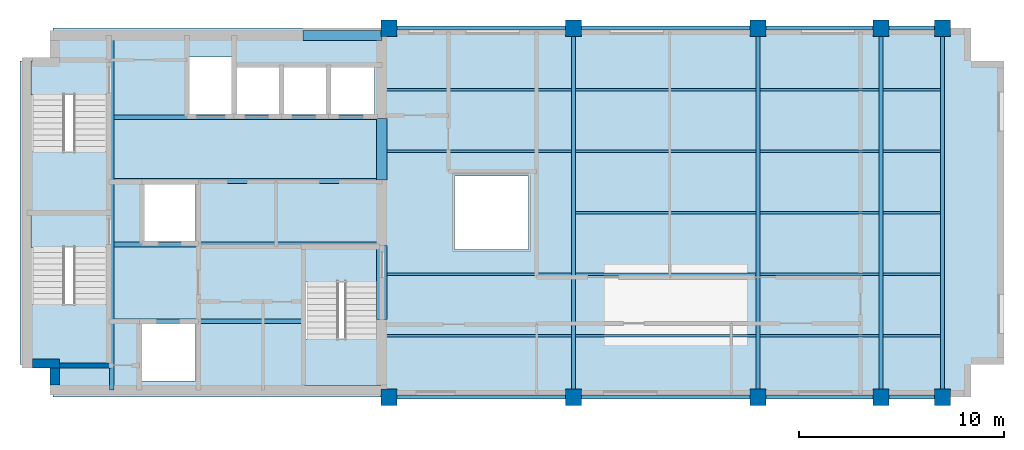
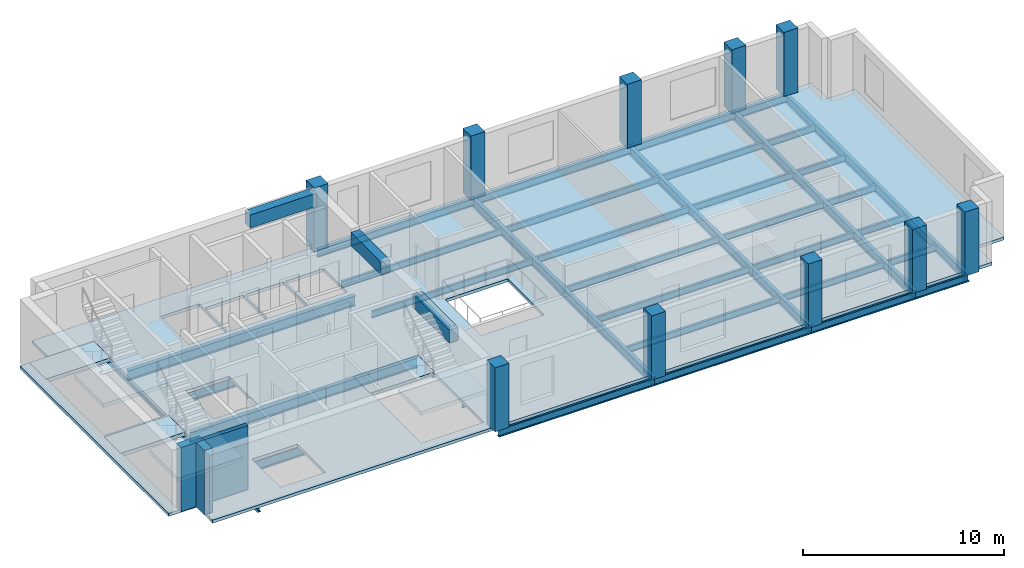
# One storey, part 1 of 5: 39 beams, 10 columns, 7 slabs, 3 walls, 3 elements without a shape of their own.
"""IFC4 building model written with IfcOpenShell, lengths in metres."""

from ifc_helpers import new_model, si_unit, direction, frame, frame_2d, origin, origin_2d, place, context, subcontext, project, spatial, polyline, rectangle, i_section, outline, extrude, material, layer, layer_set, material_profile, profile_set, type_object, element, aggregate, save


model = new_model("IFC4")

# Units and contexts
model_context = context("Model", 3, precision=1e-05, world=origin(), true_north=direction((0.0, 1.0)))
body_context = subcontext(model_context, "Body", "Model", "MODEL_VIEW")
ifc_project = project(units=[si_unit("LENGTHUNIT", "METRE"), si_unit("AREAUNIT", "SQUARE_METRE"), si_unit("VOLUMEUNIT", "CUBIC_METRE"), si_unit("PLANEANGLEUNIT", "RADIAN"), si_unit("MASSUNIT", "GRAM", prefix="KILO")], contexts=[model_context])

# Site, building, storey
site_placement = place(None, origin())
site = spatial("IfcSite", under=ifc_project, at=site_placement, CompositionType="ELEMENT")
building_placement = place(site_placement, origin())
building = spatial("IfcBuilding", under=site, at=building_placement, Name="Mawjdan Bourse Tower", CompositionType="ELEMENT")
storey_placement = place(building_placement, frame((0.0, 0.0, 262.5)))
storey = spatial("IfcBuildingStorey", under=building, at=storey_placement, Name="L64", CompositionType="ELEMENT", Elevation=262.5)

# Columns
ifc_material_1 = material(Name="Concrete C60/75", Category="concrete")
ifc_material_profile_1 = material_profile(ifc_material_1, rectangle(XDim=0.800048828125, YDim=0.800048828125, at=origin_2d()), Name="RC800X800")
ifc_profile_set_1 = profile_set([ifc_material_profile_1], Name="Concrete C60/75")
column_type = type_object("IfcColumnType", Name="COL-RC800X800", PredefinedType="COLUMN", material=ifc_profile_set_1)
for number, where, z_axis, x_axis, name in (
    (1, (24.0, 3.0, 0.0), (0.0, 0.0, 1.0), (1.0, 0.0, 0.0), "L64 Structural Column C-X240-Y30"),
    (2, (24.0, 21.0, 0.0), (0.0, 0.0, 1.0), (1.0, 0.0, 0.0), "L64 Structural Column C-X240-Y210"),
    (3, (33.0, 3.0, 0.0), (0.0, 0.0, 1.0), (1.0, 0.0, 0.0), "L64 Structural Column C-X330-Y30"),
    (4, (33.0, 21.0, 0.0), (0.0, 0.0, 1.0), (1.0, 0.0, 0.0), "L64 Structural Column C-X330-Y210"),
    (5, (42.0, 3.0, 0.0), (0.0, 0.0, 1.0), (1.0, 0.0, 0.0), "L64 Structural Column C-X420-Y30"),
    (6, (42.0, 21.0, 0.0), (0.0, 0.0, 1.0), (1.0, 0.0, 0.0), "L64 Structural Column C-X420-Y210"),
    (7, (48.0, 3.0, 0.0), (0.0, 0.0, 1.0), (1.0, 0.0, 0.0), "L64 Structural Column C-X480-Y30"),
    (8, (48.0, 21.0, 0.0), (0.0, 0.0, 1.0), (1.0, 0.0, 0.0), "L64 Structural Column C-X480-Y210"),
    (9, (51.0, 3.0, 0.0), (0.0, 0.0, 1.0), (1.0, 0.0, 0.0), "L64 Structural Column C-X510-Y30"),
    (10, (51.0, 21.0, 0.0), (0.0, 0.0, 1.0), (1.0, 0.0, 0.0), "L64 Structural Column C-X510-Y210"),
):
    element("IfcColumn", number, at=place(storey_placement, frame(where, z_axis=z_axis, x_axis=x_axis)), inside=storey, type_object=column_type, Name=name, PredefinedType="COLUMN", context=body_context, shape_type="SweptSolid", body=[
        extrude(rectangle(XDim=0.800048828125, YDim=0.800048828125, at=origin_2d()), origin(), (0.0, 0.0, 1.0), 3.89990234375),
    ])

# Beams
ifc_material_2 = material(Name="Structural Steel S355", Category="steel")
ifc_material_profile_2 = material_profile(ifc_material_2, i_section(OverallWidth=0.2119140625, OverallDepth=0.5439453125, WebThickness=0.01318359375, FlangeThickness=0.021240234375, FilletRadius=0.01708984375, at=origin_2d()), Name="W21X83")
ifc_profile_set_2 = profile_set([ifc_material_profile_2], Name="Structural Steel S355")
beam_type_1 = type_object("IfcBeamType", Name="GRD-W21X83", PredefinedType="BEAM", material=ifc_profile_set_2)
beam_1_placement = place(storey_placement, frame((10.47998046875, 3.35009765625, -0.45703125), z_axis=(0.0, 1.0, 0.0), x_axis=(-1.0, 0.0, 0.0)))
element("IfcBeam", 11, at=beam_1_placement, inside=storey, type_object=beam_type_1, Name="L64 Core Stair Trimmer Girder 001", PredefinedType="BEAM", context=body_context, shape_type="SweptSolid", body=[
    extrude(i_section(OverallWidth=0.2119140625, OverallDepth=0.5439453125, WebThickness=0.01318359375, FlangeThickness=0.021240234375, FilletRadius=0.01708984375, at=origin_2d()), origin(), (0.0, 0.0, 1.0), 17.2998046875),
])
for number, where, z_axis, x_axis, name in (
    (12, (33.0, 3.0, -0.45703125), (0.0, 1.0, 0.0), (-1.0, 0.0, 0.0), "L64 East Wing Clear-Span Girder 002"),
    (13, (42.0, 3.0, -0.45703125), (0.0, 1.0, 0.0), (-1.0, 0.0, 0.0), "L64 East Wing Clear-Span Girder 003"),
    (14, (48.0, 3.0, -0.45703125), (0.0, 1.0, 0.0), (-1.0, 0.0, 0.0), "L64 East Wing Clear-Span Girder 004"),
    (15, (51.0, 3.0, -0.45703125), (0.0, 1.0, 0.0), (-1.0, 0.0, 0.0), "L64 East Wing Clear-Span Girder 005"),
):
    element("IfcBeam", number, at=place(storey_placement, frame(where, z_axis=z_axis, x_axis=x_axis)), inside=storey, type_object=beam_type_1, Name=name, PredefinedType="BEAM", context=body_context, shape_type="SweptSolid", body=[
        extrude(i_section(OverallWidth=0.2119140625, OverallDepth=0.5439453125, WebThickness=0.01318359375, FlangeThickness=0.021240234375, FilletRadius=0.01708984375, at=origin_2d()), origin(), (0.0, 0.0, 1.0), 18.0),
    ])
ifc_material_profile_3 = material_profile(ifc_material_2, i_section(OverallWidth=0.139892578125, OverallDepth=0.404052734375, WebThickness=0.007080078125, FlangeThickness=0.01123046875, FilletRadius=0.009033203125, at=origin_2d()), Name="W16X31")
ifc_profile_set_3 = profile_set([ifc_material_profile_3], Name="Structural Steel S355")
beam_type_2 = type_object("IfcBeamType", Name="JST-W16X31", PredefinedType="JOIST", material=ifc_profile_set_3)
beam_2_placement = place(storey_placement, frame((23.64990234375, 6.0, -0.386962890625), z_axis=(1.0, 0.0, 0.0), x_axis=(0.0, 1.0, 0.0)))
element("IfcBeam", 16, at=beam_2_placement, inside=storey, type_object=beam_type_2, Name="L64 East Wing Composite Joist 014", PredefinedType="JOIST", context=body_context, shape_type="SweptSolid", body=[
    extrude(i_section(OverallWidth=0.139892578125, OverallDepth=0.404052734375, WebThickness=0.007080078125, FlangeThickness=0.01123046875, FilletRadius=0.009033203125, at=origin_2d()), origin(), (0.0, 0.0, 1.0), 9.24609375),
])
beam_3_placement = place(storey_placement, frame((33.10400390625, 6.0, -0.386962890625), z_axis=(1.0, 0.0, 0.0), x_axis=(0.0, 1.0, 0.0)))
element("IfcBeam", 17, at=beam_3_placement, inside=storey, type_object=beam_type_2, Name="L64 East Wing Composite Joist 015", PredefinedType="JOIST", context=body_context, shape_type="SweptSolid", body=[
    extrude(i_section(OverallWidth=0.139892578125, OverallDepth=0.404052734375, WebThickness=0.007080078125, FlangeThickness=0.01123046875, FilletRadius=0.009033203125, at=origin_2d()), origin(), (0.0, 0.0, 1.0), 8.7919921875),
])
beam_4_placement = place(storey_placement, frame((42.10400390625, 6.0, -0.386962890625), z_axis=(1.0, 0.0, 0.0), x_axis=(0.0, 1.0, 0.0)))
element("IfcBeam", 18, at=beam_4_placement, inside=storey, type_object=beam_type_2, Name="L64 East Wing Composite Joist 016", PredefinedType="JOIST", context=body_context, shape_type="SweptSolid", body=[
    extrude(i_section(OverallWidth=0.139892578125, OverallDepth=0.404052734375, WebThickness=0.007080078125, FlangeThickness=0.01123046875, FilletRadius=0.009033203125, at=origin_2d()), origin(), (0.0, 0.0, 1.0), 5.7919921875),
])
beam_5_placement = place(storey_placement, frame((48.10400390625, 6.0, -0.386962890625), z_axis=(1.0, 0.0, 0.0), x_axis=(0.0, 1.0, 0.0)))
element("IfcBeam", 19, at=beam_5_placement, inside=storey, type_object=beam_type_2, Name="L64 East Wing Composite Joist 017", PredefinedType="JOIST", context=body_context, shape_type="SweptSolid", body=[
    extrude(i_section(OverallWidth=0.139892578125, OverallDepth=0.404052734375, WebThickness=0.007080078125, FlangeThickness=0.01123046875, FilletRadius=0.009033203125, at=origin_2d()), origin(), (0.0, 0.0, 1.0), 2.7919921875),
])
beam_6_placement = place(storey_placement, frame((23.64990234375, 9.0, -0.386962890625), z_axis=(1.0, 0.0, 0.0), x_axis=(0.0, 1.0, 0.0)))
element("IfcBeam", 20, at=beam_6_placement, inside=storey, type_object=beam_type_2, Name="L64 East Wing Composite Joist 018", PredefinedType="JOIST", context=body_context, shape_type="SweptSolid", body=[
    extrude(i_section(OverallWidth=0.139892578125, OverallDepth=0.404052734375, WebThickness=0.007080078125, FlangeThickness=0.01123046875, FilletRadius=0.009033203125, at=origin_2d()), origin(), (0.0, 0.0, 1.0), 9.24609375),
])
beam_7_placement = place(storey_placement, frame((33.10400390625, 9.0, -0.386962890625), z_axis=(1.0, 0.0, 0.0), x_axis=(0.0, 1.0, 0.0)))
element("IfcBeam", 21, at=beam_7_placement, inside=storey, type_object=beam_type_2, Name="L64 East Wing Composite Joist 019", PredefinedType="JOIST", context=body_context, shape_type="SweptSolid", body=[
    extrude(i_section(OverallWidth=0.139892578125, OverallDepth=0.404052734375, WebThickness=0.007080078125, FlangeThickness=0.01123046875, FilletRadius=0.009033203125, at=origin_2d()), origin(), (0.0, 0.0, 1.0), 8.7919921875),
])
beam_8_placement = place(storey_placement, frame((42.10400390625, 9.0, -0.386962890625), z_axis=(1.0, 0.0, 0.0), x_axis=(0.0, 1.0, 0.0)))
element("IfcBeam", 22, at=beam_8_placement, inside=storey, type_object=beam_type_2, Name="L64 East Wing Composite Joist 020", PredefinedType="JOIST", context=body_context, shape_type="SweptSolid", body=[
    extrude(i_section(OverallWidth=0.139892578125, OverallDepth=0.404052734375, WebThickness=0.007080078125, FlangeThickness=0.01123046875, FilletRadius=0.009033203125, at=origin_2d()), origin(), (0.0, 0.0, 1.0), 5.7919921875),
])
beam_9_placement = place(storey_placement, frame((48.10400390625, 9.0, -0.386962890625), z_axis=(1.0, 0.0, 0.0), x_axis=(0.0, 1.0, 0.0)))
element("IfcBeam", 23, at=beam_9_placement, inside=storey, type_object=beam_type_2, Name="L64 East Wing Composite Joist 021", PredefinedType="JOIST", context=body_context, shape_type="SweptSolid", body=[
    extrude(i_section(OverallWidth=0.139892578125, OverallDepth=0.404052734375, WebThickness=0.007080078125, FlangeThickness=0.01123046875, FilletRadius=0.009033203125, at=origin_2d()), origin(), (0.0, 0.0, 1.0), 2.7919921875),
])
beam_10_placement = place(storey_placement, frame((33.10400390625, 12.0, -0.386962890625), z_axis=(1.0, 0.0, 0.0), x_axis=(0.0, 1.0, 0.0)))
element("IfcBeam", 24, at=beam_10_placement, inside=storey, type_object=beam_type_2, Name="L64 East Wing Composite Joist 022", PredefinedType="JOIST", context=body_context, shape_type="SweptSolid", body=[
    extrude(i_section(OverallWidth=0.139892578125, OverallDepth=0.404052734375, WebThickness=0.007080078125, FlangeThickness=0.01123046875, FilletRadius=0.009033203125, at=origin_2d()), origin(), (0.0, 0.0, 1.0), 8.7919921875),
])
beam_11_placement = place(storey_placement, frame((42.10400390625, 12.0, -0.386962890625), z_axis=(1.0, 0.0, 0.0), x_axis=(0.0, 1.0, 0.0)))
element("IfcBeam", 25, at=beam_11_placement, inside=storey, type_object=beam_type_2, Name="L64 East Wing Composite Joist 023", PredefinedType="JOIST", context=body_context, shape_type="SweptSolid", body=[
    extrude(i_section(OverallWidth=0.139892578125, OverallDepth=0.404052734375, WebThickness=0.007080078125, FlangeThickness=0.01123046875, FilletRadius=0.009033203125, at=origin_2d()), origin(), (0.0, 0.0, 1.0), 5.7919921875),
])
beam_12_placement = place(storey_placement, frame((48.10400390625, 12.0, -0.386962890625), z_axis=(1.0, 0.0, 0.0), x_axis=(0.0, 1.0, 0.0)))
element("IfcBeam", 26, at=beam_12_placement, inside=storey, type_object=beam_type_2, Name="L64 East Wing Composite Joist 024", PredefinedType="JOIST", context=body_context, shape_type="SweptSolid", body=[
    extrude(i_section(OverallWidth=0.139892578125, OverallDepth=0.404052734375, WebThickness=0.007080078125, FlangeThickness=0.01123046875, FilletRadius=0.009033203125, at=origin_2d()), origin(), (0.0, 0.0, 1.0), 2.7919921875),
])
beam_13_placement = place(storey_placement, frame((23.64990234375, 15.0, -0.386962890625), z_axis=(1.0, 0.0, 0.0), x_axis=(0.0, 1.0, 0.0)))
element("IfcBeam", 27, at=beam_13_placement, inside=storey, type_object=beam_type_2, Name="L64 East Wing Composite Joist 025", PredefinedType="JOIST", context=body_context, shape_type="SweptSolid", body=[
    extrude(i_section(OverallWidth=0.139892578125, OverallDepth=0.404052734375, WebThickness=0.007080078125, FlangeThickness=0.01123046875, FilletRadius=0.009033203125, at=origin_2d()), origin(), (0.0, 0.0, 1.0), 9.24609375),
])
beam_14_placement = place(storey_placement, frame((33.10400390625, 15.0, -0.386962890625), z_axis=(1.0, 0.0, 0.0), x_axis=(0.0, 1.0, 0.0)))
element("IfcBeam", 28, at=beam_14_placement, inside=storey, type_object=beam_type_2, Name="L64 East Wing Composite Joist 026", PredefinedType="JOIST", context=body_context, shape_type="SweptSolid", body=[
    extrude(i_section(OverallWidth=0.139892578125, OverallDepth=0.404052734375, WebThickness=0.007080078125, FlangeThickness=0.01123046875, FilletRadius=0.009033203125, at=origin_2d()), origin(), (0.0, 0.0, 1.0), 8.7919921875),
])
beam_15_placement = place(storey_placement, frame((42.10400390625, 15.0, -0.386962890625), z_axis=(1.0, 0.0, 0.0), x_axis=(0.0, 1.0, 0.0)))
element("IfcBeam", 29, at=beam_15_placement, inside=storey, type_object=beam_type_2, Name="L64 East Wing Composite Joist 027", PredefinedType="JOIST", context=body_context, shape_type="SweptSolid", body=[
    extrude(i_section(OverallWidth=0.139892578125, OverallDepth=0.404052734375, WebThickness=0.007080078125, FlangeThickness=0.01123046875, FilletRadius=0.009033203125, at=origin_2d()), origin(), (0.0, 0.0, 1.0), 5.7919921875),
])
beam_16_placement = place(storey_placement, frame((48.10400390625, 15.0, -0.386962890625), z_axis=(1.0, 0.0, 0.0), x_axis=(0.0, 1.0, 0.0)))
element("IfcBeam", 30, at=beam_16_placement, inside=storey, type_object=beam_type_2, Name="L64 East Wing Composite Joist 028", PredefinedType="JOIST", context=body_context, shape_type="SweptSolid", body=[
    extrude(i_section(OverallWidth=0.139892578125, OverallDepth=0.404052734375, WebThickness=0.007080078125, FlangeThickness=0.01123046875, FilletRadius=0.009033203125, at=origin_2d()), origin(), (0.0, 0.0, 1.0), 2.7919921875),
])
beam_17_placement = place(storey_placement, frame((23.64990234375, 18.0, -0.386962890625), z_axis=(1.0, 0.0, 0.0), x_axis=(0.0, 1.0, 0.0)))
element("IfcBeam", 31, at=beam_17_placement, inside=storey, type_object=beam_type_2, Name="L64 East Wing Composite Joist 029", PredefinedType="JOIST", context=body_context, shape_type="SweptSolid", body=[
    extrude(i_section(OverallWidth=0.139892578125, OverallDepth=0.404052734375, WebThickness=0.007080078125, FlangeThickness=0.01123046875, FilletRadius=0.009033203125, at=origin_2d()), origin(), (0.0, 0.0, 1.0), 9.24609375),
])
beam_18_placement = place(storey_placement, frame((33.10400390625, 18.0, -0.386962890625), z_axis=(1.0, 0.0, 0.0), x_axis=(0.0, 1.0, 0.0)))
element("IfcBeam", 32, at=beam_18_placement, inside=storey, type_object=beam_type_2, Name="L64 East Wing Composite Joist 030", PredefinedType="JOIST", context=body_context, shape_type="SweptSolid", body=[
    extrude(i_section(OverallWidth=0.139892578125, OverallDepth=0.404052734375, WebThickness=0.007080078125, FlangeThickness=0.01123046875, FilletRadius=0.009033203125, at=origin_2d()), origin(), (0.0, 0.0, 1.0), 8.7919921875),
])
beam_19_placement = place(storey_placement, frame((42.10400390625, 18.0, -0.386962890625), z_axis=(1.0, 0.0, 0.0), x_axis=(0.0, 1.0, 0.0)))
element("IfcBeam", 33, at=beam_19_placement, inside=storey, type_object=beam_type_2, Name="L64 East Wing Composite Joist 031", PredefinedType="JOIST", context=body_context, shape_type="SweptSolid", body=[
    extrude(i_section(OverallWidth=0.139892578125, OverallDepth=0.404052734375, WebThickness=0.007080078125, FlangeThickness=0.01123046875, FilletRadius=0.009033203125, at=origin_2d()), origin(), (0.0, 0.0, 1.0), 5.7919921875),
])
beam_20_placement = place(storey_placement, frame((48.10400390625, 18.0, -0.386962890625), z_axis=(1.0, 0.0, 0.0), x_axis=(0.0, 1.0, 0.0)))
element("IfcBeam", 34, at=beam_20_placement, inside=storey, type_object=beam_type_2, Name="L64 East Wing Composite Joist 032", PredefinedType="JOIST", context=body_context, shape_type="SweptSolid", body=[
    extrude(i_section(OverallWidth=0.139892578125, OverallDepth=0.404052734375, WebThickness=0.007080078125, FlangeThickness=0.01123046875, FilletRadius=0.009033203125, at=origin_2d()), origin(), (0.0, 0.0, 1.0), 2.7919921875),
])
ifc_material_profile_4 = material_profile(ifc_material_2, i_section(OverallWidth=0.22998046875, OverallDepth=0.616943359375, WebThickness=0.01318359375, FlangeThickness=0.022216796875, FilletRadius=0.017822265625, at=origin_2d()), Name="W24X94")
ifc_profile_set_4 = profile_set([ifc_material_profile_4], Name="Structural Steel S355")
beam_type_3 = type_object("IfcBeamType", Name="JST-W24X94", PredefinedType="JOIST", material=ifc_profile_set_4)
beam_21_placement = place(storey_placement, frame((10.583984375, 6.699951171875, -0.493408203125), z_axis=(1.0, 0.0, 0.0), x_axis=(0.0, 1.0, 0.0)))
element("IfcBeam", 35, at=beam_21_placement, inside=storey, type_object=beam_type_3, Name="L64 Core Floor Joist 033", PredefinedType="JOIST", context=body_context, shape_type="SweptSolid", body=[
    extrude(i_section(OverallWidth=0.22998046875, OverallDepth=0.616943359375, WebThickness=0.01318359375, FlangeThickness=0.022216796875, FilletRadius=0.017822265625, at=origin_2d()), origin(), (0.0, 0.0, 1.0), 9.24609375),
])
for number, where, z_axis, x_axis, name in (
    (36, (10.583984375, 10.449951171875, -0.493408203125), (1.0, 0.0, 0.0), (0.0, 1.0, 0.0), "L64 Core Floor Joist 034"),
    (37, (10.583984375, 13.550048828125, -0.493408203125), (1.0, 0.0, 0.0), (0.0, 1.0, 0.0), "L64 Core Floor Joist 035"),
    (38, (10.583984375, 16.64990234375, -0.493408203125), (1.0, 0.0, 0.0), (0.0, 1.0, 0.0), "L64 Core Floor Joist 036"),
):
    element("IfcBeam", number, at=place(storey_placement, frame(where, z_axis=z_axis, x_axis=x_axis)), inside=storey, type_object=beam_type_3, Name=name, PredefinedType="JOIST", context=body_context, shape_type="SweptSolid", body=[
        extrude(i_section(OverallWidth=0.22998046875, OverallDepth=0.616943359375, WebThickness=0.01318359375, FlangeThickness=0.022216796875, FilletRadius=0.017822265625, at=origin_2d()), origin(), (0.0, 0.0, 1.0), 13.06591796875),
    ])
ifc_material_3 = material(Name="Concrete C70/85", Category="concrete")
ifc_material_profile_5 = material_profile(ifc_material_3, rectangle(XDim=0.5, YDim=0.800048828125, at=origin_2d()), Name="RCB500X800")
ifc_profile_set_5 = profile_set([ifc_material_profile_5], Name="Concrete C70/85")
beam_type_4 = type_object("IfcBeamType", Name="LNT-RCB500X800", PredefinedType="LINTEL", material=ifc_profile_set_5)
beam_22_placement = place(storey_placement, frame((23.64990234375, 6.800048828125, 3.31494140625), z_axis=(0.0, 1.0, 0.0), x_axis=(-1.0, 0.0, 0.0)))
element("IfcBeam", 39, at=beam_22_placement, inside=storey, type_object=beam_type_4, Name="L64 Coupled Core Lintel CB-E1", PredefinedType="LINTEL", context=body_context, shape_type="SweptSolid", body=[
    extrude(rectangle(XDim=0.5, YDim=0.800048828125, at=origin_2d()), origin(), (0.0, 0.0, 1.0), 3.599853515625),
])
beam_23_placement = place(storey_placement, frame((23.64990234375, 13.60009765625, 3.31494140625), z_axis=(0.0, 1.0, 0.0), x_axis=(-1.0, 0.0, 0.0)))
element("IfcBeam", 40, at=beam_23_placement, inside=storey, type_object=beam_type_4, Name="L64 Coupled Core Lintel CB-E2", PredefinedType="LINTEL", context=body_context, shape_type="SweptSolid", body=[
    extrude(rectangle(XDim=0.5, YDim=0.800048828125, at=origin_2d()), origin(), (0.0, 0.0, 1.0), 3.0),
])
beam_24_placement = place(storey_placement, frame((19.800048828125, 20.64990234375, 3.31494140625), z_axis=(1.0, 0.0, 0.0), x_axis=(0.0, 1.0, 0.0)))
element("IfcBeam", 41, at=beam_24_placement, inside=storey, type_object=beam_type_4, Name="L64 Coupled Core Lintel CB-N1", PredefinedType="LINTEL", context=body_context, shape_type="SweptSolid", body=[
    extrude(rectangle(XDim=0.5, YDim=0.800048828125, at=origin_2d()), origin(), (0.0, 0.0, 1.0), 3.849853515625),
])
ifc_material_profile_6 = material_profile(ifc_material_2, i_section(OverallWidth=0.19189453125, OverallDepth=0.462890625, WebThickness=0.010498046875, FlangeThickness=0.017578125, FilletRadius=0.01416015625, at=origin_2d()), Name="W18X60")
ifc_profile_set_6 = profile_set([ifc_material_profile_6], Name="Structural Steel S355")
beam_type_5 = type_object("IfcBeamType", Name="SPN-W18X60", PredefinedType="SPANDREL", material=ifc_profile_set_6)
for number, where, z_axis, x_axis, name in (
    (42, (24.0, 3.0, -0.41650390625), (1.0, 0.0, 0.0), (0.0, 1.0, 0.0), "L64 Perimeter Masonry-Shelf Spandrel 006"),
    (43, (33.0, 3.0, -0.41650390625), (1.0, 0.0, 0.0), (0.0, 1.0, 0.0), "L64 Perimeter Masonry-Shelf Spandrel 007"),
):
    element("IfcBeam", number, at=place(storey_placement, frame(where, z_axis=z_axis, x_axis=x_axis)), inside=storey, type_object=beam_type_5, Name=name, PredefinedType="SPANDREL", context=body_context, shape_type="SweptSolid", body=[
        extrude(i_section(OverallWidth=0.19189453125, OverallDepth=0.462890625, WebThickness=0.010498046875, FlangeThickness=0.017578125, FilletRadius=0.01416015625, at=origin_2d()), origin(), (0.0, 0.0, 1.0), 9.0),
    ])
beam_25_placement = place(storey_placement, frame((42.0, 3.0, -0.41650390625), z_axis=(1.0, 0.0, 0.0), x_axis=(0.0, 1.0, 0.0)))
element("IfcBeam", 44, at=beam_25_placement, inside=storey, type_object=beam_type_5, Name="L64 Perimeter Masonry-Shelf Spandrel 008", PredefinedType="SPANDREL", context=body_context, shape_type="SweptSolid", body=[
    extrude(i_section(OverallWidth=0.19189453125, OverallDepth=0.462890625, WebThickness=0.010498046875, FlangeThickness=0.017578125, FilletRadius=0.01416015625, at=origin_2d()), origin(), (0.0, 0.0, 1.0), 6.0),
])
beam_26_placement = place(storey_placement, frame((48.0, 3.0, -0.41650390625), z_axis=(1.0, 0.0, 0.0), x_axis=(0.0, 1.0, 0.0)))
element("IfcBeam", 45, at=beam_26_placement, inside=storey, type_object=beam_type_5, Name="L64 Perimeter Masonry-Shelf Spandrel 009", PredefinedType="SPANDREL", context=body_context, shape_type="SweptSolid", body=[
    extrude(i_section(OverallWidth=0.19189453125, OverallDepth=0.462890625, WebThickness=0.010498046875, FlangeThickness=0.017578125, FilletRadius=0.01416015625, at=origin_2d()), origin(), (0.0, 0.0, 1.0), 3.0),
])
for number, where, z_axis, x_axis, name in (
    (46, (24.0, 21.0, -0.41650390625), (1.0, 0.0, 0.0), (0.0, 1.0, 0.0), "L64 Perimeter Masonry-Shelf Spandrel 010"),
    (47, (33.0, 21.0, -0.41650390625), (1.0, 0.0, 0.0), (0.0, 1.0, 0.0), "L64 Perimeter Masonry-Shelf Spandrel 011"),
):
    element("IfcBeam", number, at=place(storey_placement, frame(where, z_axis=z_axis, x_axis=x_axis)), inside=storey, type_object=beam_type_5, Name=name, PredefinedType="SPANDREL", context=body_context, shape_type="SweptSolid", body=[
        extrude(i_section(OverallWidth=0.19189453125, OverallDepth=0.462890625, WebThickness=0.010498046875, FlangeThickness=0.017578125, FilletRadius=0.01416015625, at=origin_2d()), origin(), (0.0, 0.0, 1.0), 9.0),
    ])
beam_27_placement = place(storey_placement, frame((42.0, 21.0, -0.41650390625), z_axis=(1.0, 0.0, 0.0), x_axis=(0.0, 1.0, 0.0)))
element("IfcBeam", 48, at=beam_27_placement, inside=storey, type_object=beam_type_5, Name="L64 Perimeter Masonry-Shelf Spandrel 012", PredefinedType="SPANDREL", context=body_context, shape_type="SweptSolid", body=[
    extrude(i_section(OverallWidth=0.19189453125, OverallDepth=0.462890625, WebThickness=0.010498046875, FlangeThickness=0.017578125, FilletRadius=0.01416015625, at=origin_2d()), origin(), (0.0, 0.0, 1.0), 6.0),
])
beam_28_placement = place(storey_placement, frame((48.0, 21.0, -0.41650390625), z_axis=(1.0, 0.0, 0.0), x_axis=(0.0, 1.0, 0.0)))
element("IfcBeam", 49, at=beam_28_placement, inside=storey, type_object=beam_type_5, Name="L64 Perimeter Masonry-Shelf Spandrel 013", PredefinedType="SPANDREL", context=body_context, shape_type="SweptSolid", body=[
    extrude(i_section(OverallWidth=0.19189453125, OverallDepth=0.462890625, WebThickness=0.010498046875, FlangeThickness=0.017578125, FilletRadius=0.01416015625, at=origin_2d()), origin(), (0.0, 0.0, 1.0), 3.0),
])

# Stair, slabs
ifc_material_4 = material(Name="Concrete C50/60", Category="concrete")
stair_type = type_object("IfcStairType", Name="STR-CORE-1500", PredefinedType="HALF_TURN_STAIR", material=ifc_material_4)
stair_1_placement = place(storey_placement, origin())
stair_1 = element("IfcStair", 50, at=stair_1_placement, inside=storey, type_object=stair_type, Name="L64 Exit Stair 1 (Core South-West)", PredefinedType="HALF_TURN_STAIR")
ifc_layer_1 = layer(ifc_material_4, 0.22998046875)
ifc_layer_set_1 = layer_set([ifc_layer_1], Name="Concrete C50/60")
slab_type_1 = type_object("IfcSlabType", Name="SL-LND-230", PredefinedType="LANDING", material=ifc_layer_set_1)
slab_1_placement = place(storey_placement, frame((0.0, 0.0, -0.22998046875)))
slab_1 = element("IfcSlab", 51, at=slab_1_placement, type_object=slab_type_1, Name="ST1-L64 landing 1", PredefinedType="LANDING", context=body_context, shape_type="SweptSolid", body=[
    extrude(outline(polyline([(6.5400390625, 10.31005859375), (10.260009765625, 10.31005859375), (10.260009765625, 11.969970703125), (6.5400390625, 11.969970703125), (6.5400390625, 10.31005859375)])), origin(), (0.0, 0.0, 1.0), 0.22998046875),
])
slab_2_placement = place(storey_placement, frame((0.0, 0.0, 1.719970703125)))
slab_2 = element("IfcSlab", 52, at=slab_2_placement, type_object=slab_type_1, Name="ST1-L64 landing 2", PredefinedType="LANDING", context=body_context, shape_type="SweptSolid", body=[
    extrude(outline(polyline([(6.5400390625, 4.590087890625), (10.260009765625, 4.590087890625), (10.260009765625, 7.5400390625), (6.5400390625, 7.5400390625), (6.5400390625, 4.590087890625)])), origin(), (0.0, 0.0, 1.0), 0.22998046875),
])
aggregate(stair_1, [slab_1, slab_2])

stair_2_placement = place(storey_placement, origin())
stair_2 = element("IfcStair", 53, at=stair_2_placement, inside=storey, type_object=stair_type, Name="L64 Exit Stair 2 (Core North-West)", PredefinedType="HALF_TURN_STAIR")
slab_3_placement = place(storey_placement, frame((0.0, 0.0, -0.22998046875)))
slab_3 = element("IfcSlab", 54, at=slab_3_placement, type_object=slab_type_1, Name="ST2-L64 landing 1", PredefinedType="LANDING", context=body_context, shape_type="SweptSolid", body=[
    extrude(outline(polyline([(6.5400390625, 17.75), (10.260009765625, 17.75), (10.260009765625, 19.409912109375), (6.5400390625, 19.409912109375), (6.5400390625, 17.75)])), origin(), (0.0, 0.0, 1.0), 0.22998046875),
])
slab_4_placement = place(storey_placement, frame((0.0, 0.0, 1.719970703125)))
slab_4 = element("IfcSlab", 55, at=slab_4_placement, type_object=slab_type_1, Name="ST2-L64 landing 2", PredefinedType="LANDING", context=body_context, shape_type="SweptSolid", body=[
    extrude(outline(polyline([(6.5400390625, 12.030029296875), (10.260009765625, 12.030029296875), (10.260009765625, 14.97998046875), (6.5400390625, 14.97998046875), (6.5400390625, 12.030029296875)])), origin(), (0.0, 0.0, 1.0), 0.22998046875),
])
aggregate(stair_2, [slab_3, slab_4])

stair_3_placement = place(storey_placement, origin())
stair_3 = element("IfcStair", 56, at=stair_3_placement, inside=storey, type_object=stair_type, Name="L64 Exit Stair 7 (Core South-East)", PredefinedType="HALF_TURN_STAIR")
slab_5_placement = place(storey_placement, frame((0.0, 0.0, -0.22998046875)))
slab_5 = element("IfcSlab", 57, at=slab_5_placement, type_object=slab_type_1, Name="ST7-L64 landing 1", PredefinedType="LANDING", context=body_context, shape_type="SweptSolid", body=[
    extrude(outline(polyline([(19.889892578125, 8.6201171875), (23.610107421875, 8.6201171875), (23.610107421875, 10.280029296875), (19.889892578125, 10.280029296875), (19.889892578125, 8.6201171875)])), origin(), (0.0, 0.0, 1.0), 0.22998046875),
])
slab_6_placement = place(storey_placement, frame((0.0, 0.0, 1.719970703125)))
slab_6 = element("IfcSlab", 58, at=slab_6_placement, type_object=slab_type_1, Name="ST7-L64 landing 2", PredefinedType="LANDING", context=body_context, shape_type="SweptSolid", body=[
    extrude(outline(polyline([(19.889892578125, 3.56005859375), (23.610107421875, 3.56005859375), (23.610107421875, 5.85009765625), (19.889892578125, 5.85009765625), (19.889892578125, 3.56005859375)])), origin(), (0.0, 0.0, 1.0), 0.22998046875),
])
aggregate(stair_3, [slab_5, slab_6])

# Slab
ifc_layer_2 = layer(ifc_material_4, 0.18505859375)
ifc_layer_set_2 = layer_set([ifc_layer_2], Name="Concrete C50/60")
slab_type_2 = type_object("IfcSlabType", Name="SL-SMT-185", PredefinedType="FLOOR", material=ifc_layer_set_2)
slab_7_placement = place(storey_placement, frame((0.0, 0.0, -0.18505859375)))
element("IfcSlab", 59, at=slab_7_placement, inside=storey, type_object=slab_type_2, Name="L64 Structural Floor Slab 1", PredefinedType="FLOOR", context=body_context, shape_type="SweptSolid", body=[
    extrude(outline(polyline([(7.60009765625, 3.0), (52.39990234375, 3.0), (52.39990234375, 4.60009765625), (54.0, 4.60009765625), (54.0, 19.39990234375), (52.39990234375, 19.39990234375), (52.39990234375, 21.0), (7.60009765625, 21.0), (7.60009765625, 19.39990234375), (6.0, 19.39990234375), (6.0, 4.60009765625), (7.60009765625, 4.60009765625), (7.60009765625, 3.0)]), holes=[polyline([(14.550048828125, 3.800048828125), (11.949951171875, 3.800048828125), (11.949951171875, 6.60009765625), (14.550048828125, 6.60009765625), (14.550048828125, 3.800048828125)]), polyline([(10.260009765625, 11.969970703125), (10.260009765625, 10.31005859375), (10.199951171875, 10.31005859375), (10.199951171875, 4.64990234375), (6.60009765625, 4.64990234375), (6.60009765625, 10.31005859375), (6.5400390625, 10.31005859375), (6.5400390625, 11.969970703125), (10.260009765625, 11.969970703125)]), polyline([(14.550048828125, 10.60009765625), (12.050048828125, 10.60009765625), (12.050048828125, 13.39990234375), (14.550048828125, 13.39990234375), (14.550048828125, 10.60009765625)]), polyline([(6.60009765625, 12.090087890625), (6.60009765625, 17.75), (6.5400390625, 17.75), (6.5400390625, 19.3798828125), (7.60009765625, 19.3798828125), (7.60205078125, 19.380126953125), (7.60400390625, 19.38037109375), (7.605712890625, 19.380859375), (7.607666015625, 19.381591796875), (7.609375, 19.38232421875), (7.611083984375, 19.38330078125), (7.61279296875, 19.384521484375), (7.614013671875, 19.385986328125), (7.615478515625, 19.38720703125), (7.61669921875, 19.388916015625), (7.61767578125, 19.390625), (7.618408203125, 19.392333984375), (7.619140625, 19.394287109375), (7.61962890625, 19.39599609375), (7.619873046875, 19.39794921875), (7.6201171875, 19.39990234375), (7.6201171875, 19.409912109375), (10.260009765625, 19.409912109375), (10.260009765625, 17.75), (10.199951171875, 17.75), (10.199951171875, 12.090087890625), (6.60009765625, 12.090087890625)]), polyline([(14.199951171875, 16.800048828125), (14.199951171875, 19.60009765625), (16.39990234375, 19.60009765625), (16.39990234375, 16.800048828125), (14.199951171875, 16.800048828125)]), polyline([(23.610107421875, 10.280029296875), (23.610107421875, 8.6201171875), (23.550048828125, 8.6201171875), (23.550048828125, 3.6201171875), (19.949951171875, 3.6201171875), (19.949951171875, 8.6201171875), (19.889892578125, 8.6201171875), (19.889892578125, 10.280029296875), (23.610107421875, 10.280029296875)]), polyline([(27.199951171875, 10.199951171875), (27.199951171875, 13.800048828125), (30.800048828125, 13.800048828125), (30.800048828125, 10.199951171875), (27.199951171875, 10.199951171875)]), polyline([(16.5, 16.800048828125), (16.5, 19.14990234375), (18.699951171875, 19.14990234375), (18.699951171875, 16.800048828125), (16.5, 16.800048828125)]), polyline([(18.800048828125, 16.800048828125), (18.800048828125, 19.14990234375), (21.0, 19.14990234375), (21.0, 16.800048828125), (18.800048828125, 16.800048828125)]), polyline([(21.10009765625, 16.800048828125), (21.10009765625, 19.14990234375), (23.300048828125, 19.14990234375), (23.300048828125, 16.800048828125), (21.10009765625, 16.800048828125)])]), origin(), (0.0, 0.0, 1.0), 0.18505859375),
])

# Walls
ifc_layer_3 = layer(ifc_material_1, 0.449951171875)
ifc_layer_set_3 = layer_set([ifc_layer_3], Name="Concrete C60/75")
wall_type_1 = type_object("IfcWallType", Name="WL-CORE-450", PredefinedType="SHEAR", material=ifc_layer_set_3)
wall_1_placement = place(storey_placement, frame((6.60009765625, 4.64990234375, 0.0), z_axis=(0.0, 0.0, 1.0), x_axis=(1.0, 0.0, 0.0)))
element("IfcWall", 60, at=wall_1_placement, inside=storey, type_object=wall_type_1, Name="L64 Rear Core Shear Wall SW-X", PredefinedType="SHEAR", context=body_context, shape_type="SweptSolid", body=[
    extrude(rectangle(XDim=1.324951171875, YDim=0.449951171875, at=frame_2d((0.66259765625, 0.0))), origin(), (0.0, 0.0, 1.0), 3.89990234375),
])
wall_2_placement = place(storey_placement, frame((7.699951171875, 3.60009765625, 0.0), z_axis=(0.0, 0.0, 1.0), x_axis=(0.0, 1.0, 0.0)))
element("IfcWall", 61, at=wall_2_placement, inside=storey, type_object=wall_type_1, Name="L64 Rear Core Shear Wall SW-Y", PredefinedType="SHEAR", context=body_context, shape_type="SweptSolid", body=[
    extrude(rectangle(XDim=0.824951171875, YDim=0.449951171875, at=frame_2d((0.41259765625, 0.0))), origin(), (0.0, 0.0, 1.0), 3.89990234375),
])
ifc_layer_4 = layer(ifc_material_4, 0.25)
ifc_layer_set_4 = layer_set([ifc_layer_4], Name="Concrete C50/60")
wall_type_2 = type_object("IfcWallType", Name="WL-STRW-250", PredefinedType="SHEAR", material=ifc_layer_set_4)
wall_3_placement = place(storey_placement, frame((7.699951171875, 4.550048828125, 0.0), z_axis=(0.0, 0.0, 1.0), x_axis=(1.0, 0.0, 0.0)))
element("IfcWall", 62, at=wall_3_placement, inside=storey, type_object=wall_type_2, Name="L64 Stairwell ST1 South Shaft Wall", PredefinedType="SHEAR", context=body_context, shape_type="SweptSolid", body=[
    extrude(rectangle(XDim=2.755126953125, YDim=0.25, at=frame_2d((1.37744140625, 0.0))), origin(), (0.0, 0.0, 1.0), 3.89990234375),
])

save(model, "model.ifc")
